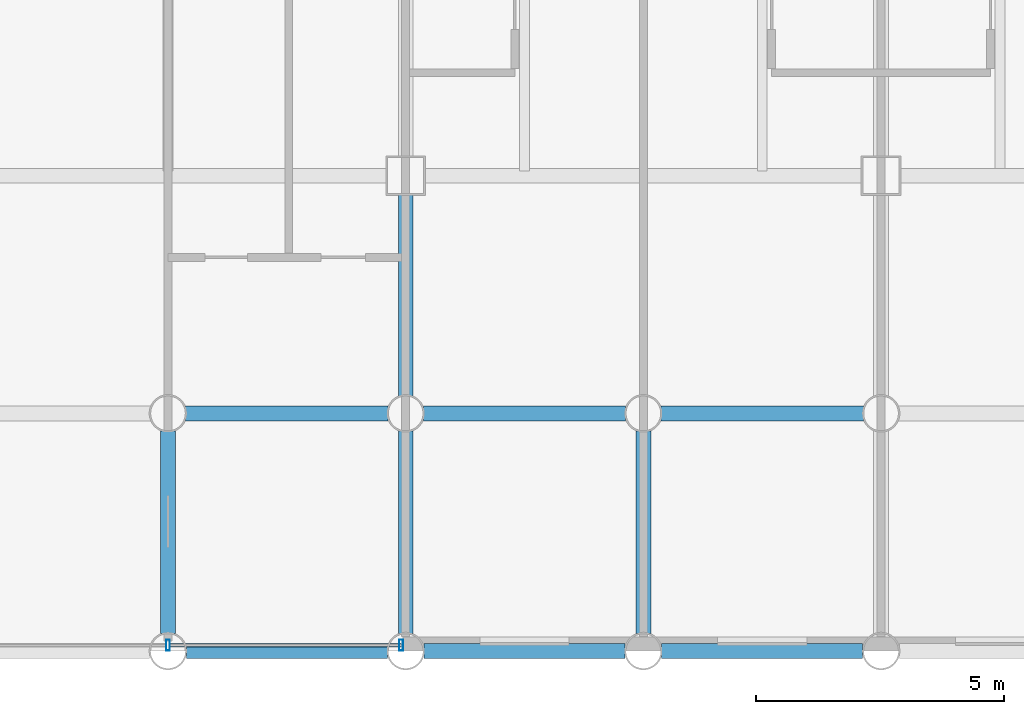
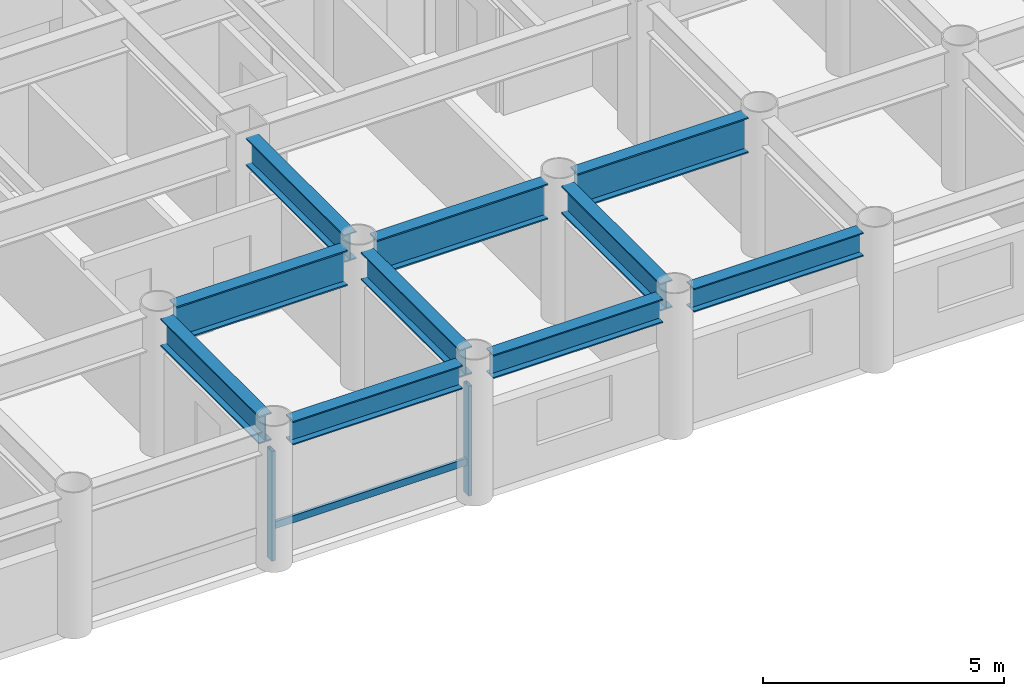
# One storey, part 6 of 21: 10 beams, 3 members, 1 element without a shape of its own.
"""IFC4 building model written with IfcOpenShell, lengths in metres."""

from ifc_helpers import new_model, si_unit, direction, frame, origin, origin_2d, place, context, subcontext, project, spatial, hollow_rectangle, i_section, extrude, material, layer, layer_set, material_profile, profile_set, type_object, element, aggregate, save


model = new_model("IFC4")

# Units and contexts
model_context = context("Model", 3, precision=1e-05, world=origin(), true_north=direction((0.0, 1.0)))
body_context = subcontext(model_context, "Body", "Model", "MODEL_VIEW")
ifc_project = project(units=[si_unit("LENGTHUNIT", "METRE"), si_unit("AREAUNIT", "SQUARE_METRE"), si_unit("VOLUMEUNIT", "CUBIC_METRE"), si_unit("PLANEANGLEUNIT", "RADIAN"), si_unit("MASSUNIT", "GRAM", prefix="KILO")], contexts=[model_context])

# Site, building, storey
site_placement = place(None, origin())
site = spatial("IfcSite", under=ifc_project, at=site_placement, CompositionType="ELEMENT")
building_placement = place(site_placement, origin())
building = spatial("IfcBuilding", under=site, at=building_placement, Name="Kallvorn Hotel Tower", CompositionType="ELEMENT")
storey_placement = place(building_placement, frame((0.0, 0.0, 41.10009765625)))
storey = spatial("IfcBuildingStorey", under=building, at=storey_placement, Name="L08", CompositionType="ELEMENT", Elevation=41.10009765625)

# Beams
ifc_material_1 = material(Name="Structural steel S355JR", Category="steel")
ifc_material_profile_1 = material_profile(ifc_material_1, i_section(OverallWidth=0.300048828125, OverallDepth=0.60009765625, WebThickness=0.015380859375, FlangeThickness=0.030029296875, at=origin_2d()), Name="HE 600 B")
ifc_profile_set_1 = profile_set([ifc_material_profile_1], Name="Structural steel S355JR")
beam_type_1 = type_object("IfcBeamType", Name="BM_HE600B", PredefinedType="SPANDREL", material=ifc_profile_set_1)
beam_1_placement = place(storey_placement, frame((0.37109375, -24.0, 3.219970703125), z_axis=(1.0, 0.0, 0.0), x_axis=(0.0, 1.0, 0.0)))
element("IfcBeam", 1, at=beam_1_placement, inside=storey, type_object=beam_type_1, Name="L09 Perimeter Spandrel 157", PredefinedType="SPANDREL", context=body_context, shape_type="SweptSolid", body=[
    extrude(i_section(OverallWidth=0.300048828125, OverallDepth=0.60009765625, WebThickness=0.015380859375, FlangeThickness=0.030029296875, at=origin_2d()), origin(), (0.0, 0.0, 1.0), 4.057861328125),
])
for number, where, z_axis, x_axis, name in (
    (2, (5.1708984375, -24.0, 3.219970703125), (1.0, 0.0, 0.0), (0.0, 1.0, 0.0), "L09 Perimeter Spandrel 158"),
    (3, (9.970947265625, -24.0, 3.219970703125), (1.0, 0.0, 0.0), (0.0, 1.0, 0.0), "L09 Perimeter Spandrel 159"),
):
    element("IfcBeam", number, at=place(storey_placement, frame(where, z_axis=z_axis, x_axis=x_axis)), inside=storey, type_object=beam_type_1, Name=name, PredefinedType="SPANDREL", context=body_context, shape_type="SweptSolid", body=[
        extrude(i_section(OverallWidth=0.300048828125, OverallDepth=0.60009765625, WebThickness=0.015380859375, FlangeThickness=0.030029296875, at=origin_2d()), origin(), (0.0, 0.0, 1.0), 4.05810546875),
    ])
ifc_material_2 = material(Name="Structural steel S355JR", Category="steel")
ifc_material_profile_2 = material_profile(ifc_material_2, i_section(OverallWidth=0.300048828125, OverallDepth=0.699951171875, WebThickness=0.01708984375, FlangeThickness=0.031982421875, at=origin_2d()), Name="HE 700 B")
ifc_profile_set_2 = profile_set([ifc_material_profile_2], Name="Structural steel S355JR")
beam_type_2 = type_object("IfcBeamType", Name="BM_HE700B", PredefinedType="BEAM", material=ifc_profile_set_2)
for number, where, z_axis, x_axis, name in (
    (4, (0.0, -23.64404296875, 3.169921875), (0.0, 1.0, 0.0), (-1.0, 0.0, 0.0), "L09 Primary Y-Girder 111"),
    (5, (4.800048828125, -23.64404296875, 3.169921875), (0.0, 1.0, 0.0), (-1.0, 0.0, 0.0), "L09 Primary Y-Girder 114"),
):
    element("IfcBeam", number, at=place(storey_placement, frame(where, z_axis=z_axis, x_axis=x_axis)), inside=storey, type_object=beam_type_2, Name=name, PredefinedType="BEAM", context=body_context, shape_type="SweptSolid", body=[
        extrude(i_section(OverallWidth=0.300048828125, OverallDepth=0.699951171875, WebThickness=0.01708984375, FlangeThickness=0.031982421875, at=origin_2d()), origin(), (0.0, 0.0, 1.0), 4.088134765625),
    ])
beam_2_placement = place(storey_placement, frame((4.800048828125, -18.843994140625, 3.169921875), z_axis=(0.0, 1.0, 0.0), x_axis=(-1.0, 0.0, 0.0)))
element("IfcBeam", 6, at=beam_2_placement, inside=storey, type_object=beam_type_2, Name="L09 Primary Y-Girder 115", PredefinedType="BEAM", context=body_context, shape_type="SweptSolid", body=[
    extrude(i_section(OverallWidth=0.300048828125, OverallDepth=0.699951171875, WebThickness=0.01708984375, FlangeThickness=0.031982421875, at=origin_2d()), origin(), (0.0, 0.0, 1.0), 4.069091796875),
])
beam_3_placement = place(storey_placement, frame((9.60009765625, -23.64404296875, 3.169921875), z_axis=(0.0, 1.0, 0.0), x_axis=(-1.0, 0.0, 0.0)))
element("IfcBeam", 7, at=beam_3_placement, inside=storey, type_object=beam_type_2, Name="L09 Primary Y-Girder 119", PredefinedType="BEAM", context=body_context, shape_type="SweptSolid", body=[
    extrude(i_section(OverallWidth=0.300048828125, OverallDepth=0.699951171875, WebThickness=0.01708984375, FlangeThickness=0.031982421875, at=origin_2d()), origin(), (0.0, 0.0, 1.0), 4.088134765625),
])
ifc_material_3 = material(Name="Structural steel S355JR", Category="steel")
ifc_material_profile_3 = material_profile(ifc_material_3, i_section(OverallWidth=0.300048828125, OverallDepth=0.89990234375, WebThickness=0.0185546875, FlangeThickness=0.034912109375, at=origin_2d()), Name="HE 900 B")
ifc_profile_set_3 = profile_set([ifc_material_profile_3], Name="Structural steel S355JR")
beam_type_3 = type_object("IfcBeamType", Name="BM_HE900B", PredefinedType="BEAM", material=ifc_profile_set_3)
beam_4_placement = place(storey_placement, frame((0.35595703125, -19.199951171875, 3.06982421875), z_axis=(1.0, 0.0, 0.0), x_axis=(0.0, 1.0, 0.0)))
element("IfcBeam", 8, at=beam_4_placement, inside=storey, type_object=beam_type_3, Name="L09 Primary X-Girder 08", PredefinedType="BEAM", context=body_context, shape_type="SweptSolid", body=[
    extrude(i_section(OverallWidth=0.300048828125, OverallDepth=0.89990234375, WebThickness=0.0185546875, FlangeThickness=0.034912109375, at=origin_2d()), origin(), (0.0, 0.0, 1.0), 4.088134765625),
])
for number, where, z_axis, x_axis, name in (
    (9, (5.156005859375, -19.199951171875, 3.06982421875), (1.0, 0.0, 0.0), (0.0, 1.0, 0.0), "L09 Primary X-Girder 09"),
    (10, (9.9560546875, -19.199951171875, 3.06982421875), (1.0, 0.0, 0.0), (0.0, 1.0, 0.0), "L09 Primary X-Girder 10"),
):
    element("IfcBeam", number, at=place(storey_placement, frame(where, z_axis=z_axis, x_axis=x_axis)), inside=storey, type_object=beam_type_3, Name=name, PredefinedType="BEAM", context=body_context, shape_type="SweptSolid", body=[
        extrude(i_section(OverallWidth=0.300048828125, OverallDepth=0.89990234375, WebThickness=0.0185546875, FlangeThickness=0.034912109375, at=origin_2d()), origin(), (0.0, 0.0, 1.0), 4.087890625),
    ])

# Curtain wall, members
ifc_material_4 = material(Name="Thermally broken black-anodised aluminium AA 6063-T6", Category="aluminium")
ifc_layer = layer(ifc_material_4, 0.199951171875)
ifc_layer_set = layer_set([ifc_layer], Name="CW_SYS_3_HOTEL_LOW")
curtain_wall_type = type_object("IfcCurtainWallType", Name="CW_SYS_3_HOTEL_LOW", PredefinedType="USERDEFINED", material=ifc_layer_set)
curtain_wall_placement = place(storey_placement, origin())
curtain_wall = element("IfcCurtainWall", 11, at=curtain_wall_placement, inside=storey, type_object=curtain_wall_type, Name="L08 Dark-Glass Curtain Wall CW-L08-SC", ObjectType="UNITISED CURTAIN WALL", PredefinedType="USERDEFINED")
ifc_material_5 = material(Name="Thermally broken black-anodised aluminium AA 6063-T6", Category="aluminium")
ifc_material_profile_4 = material_profile(ifc_material_5, hollow_rectangle(XDim=0.080078125, YDim=0.219970703125, WallThickness=0.0048828125, at=origin_2d()), Name="MUL 220x80")
ifc_profile_set_4 = profile_set([ifc_material_profile_4], Name="Thermally broken black-anodised aluminium AA 6063-T6")
member_type_1 = type_object("IfcMemberType", Name="CW_MULLION_220x80", PredefinedType="MULLION", material=ifc_profile_set_4)
member_1_placement = place(storey_placement, frame((0.0, -23.8798828125, 0.02001953125), z_axis=(0.0, 0.0, 1.0), x_axis=(1.0, 0.0, 0.0)))
member_1 = element("IfcMember", 12, at=member_1_placement, type_object=member_type_1, Name="CW-L08-SC Mullion 01", PredefinedType="MULLION", context=body_context, shape_type="SweptSolid", body=[
    extrude(hollow_rectangle(XDim=0.080078125, YDim=0.219970703125, WallThickness=0.0048828125, at=origin_2d()), origin(), (0.0, 0.0, 1.0), 2.77978515625),
])
member_2_placement = place(storey_placement, frame((4.7099609375, -23.8798828125, 0.02001953125), z_axis=(0.0, 0.0, 1.0), x_axis=(1.0, 0.0, 0.0)))
member_2 = element("IfcMember", 13, at=member_2_placement, type_object=member_type_1, Name="CW-L08-SC Mullion 02", PredefinedType="MULLION", context=body_context, shape_type="SweptSolid", body=[
    extrude(hollow_rectangle(XDim=0.080078125, YDim=0.219970703125, WallThickness=0.0048828125, at=origin_2d()), origin(), (0.0, 0.0, 1.0), 2.77978515625),
])
ifc_material_6 = material(Name="Thermally broken black-anodised aluminium AA 6063-T6", Category="aluminium")
ifc_material_profile_5 = material_profile(ifc_material_6, hollow_rectangle(XDim=0.070068359375, YDim=0.179931640625, WallThickness=0.00390625, at=origin_2d()), Name="TRN 180x70")
ifc_profile_set_5 = profile_set([ifc_material_profile_5], Name="Thermally broken black-anodised aluminium AA 6063-T6")
member_type_2 = type_object("IfcMemberType", Name="CW_TRANSOM_180x70", PredefinedType="USERDEFINED", material=ifc_profile_set_5)
member_3_placement = place(storey_placement, frame((0.0400390625, -23.8798828125, 0.849853515625), z_axis=(1.0, 0.0, 0.0), x_axis=(0.0, 1.0, 0.0)))
member_3 = element("IfcMember", 14, at=member_3_placement, type_object=member_type_2, Name="CW-L08-SC Transom 01M", ObjectType="TRANSOM", PredefinedType="USERDEFINED", context=body_context, shape_type="SweptSolid", body=[
    extrude(hollow_rectangle(XDim=0.070068359375, YDim=0.179931640625, WallThickness=0.00390625, at=origin_2d()), origin(), (0.0, 0.0, 1.0), 4.669921875),
])
aggregate(curtain_wall, [member_1, member_2, member_3])

save(model, "model.ifc")
